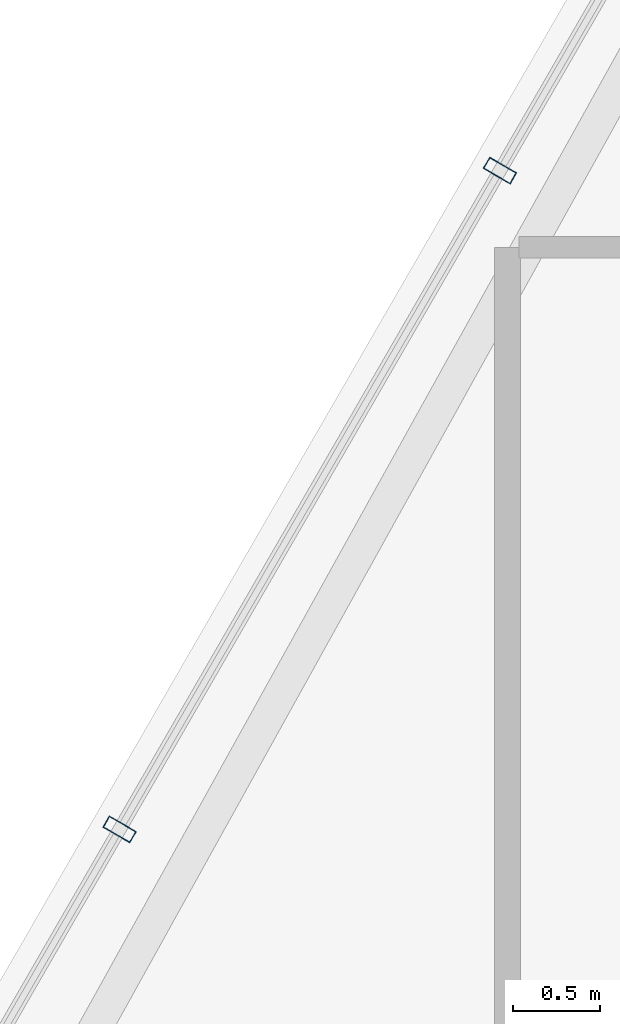
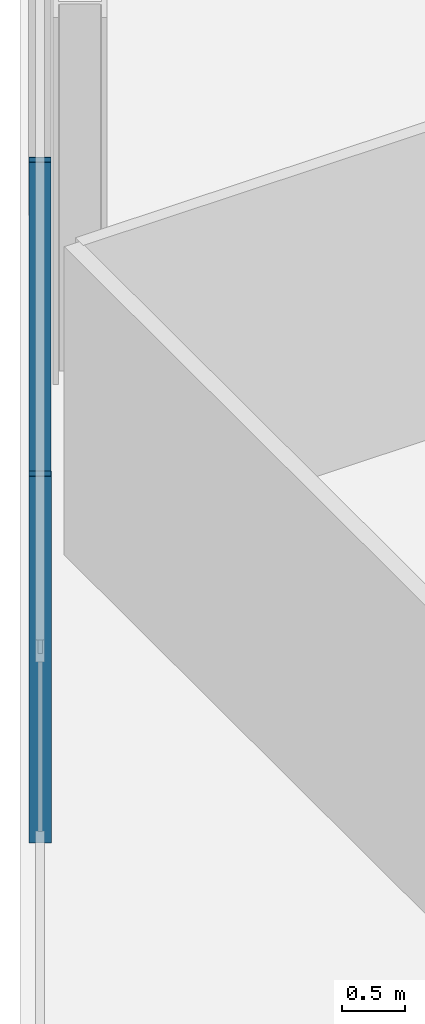
# One storey, part 10 of 29: 2 members, 1 element without a shape of its own.
"""IFC4 building model written with IfcOpenShell, lengths in metres."""

from ifc_helpers import new_model, si_unit, direction, frame, origin, origin_2d, place, context, subcontext, project, spatial, hollow_rectangle, extrude, material, layer, layer_set, material_profile, profile_set, type_object, element, aggregate, save


model = new_model("IFC4")

# Units and contexts
model_context = context("Model", 3, precision=1e-05, world=origin(), true_north=direction((0.0, 1.0)))
body_context = subcontext(model_context, "Body", "Model", "MODEL_VIEW")
ifc_project = project(units=[si_unit("LENGTHUNIT", "METRE"), si_unit("AREAUNIT", "SQUARE_METRE"), si_unit("VOLUMEUNIT", "CUBIC_METRE"), si_unit("PLANEANGLEUNIT", "RADIAN"), si_unit("MASSUNIT", "GRAM", prefix="KILO")], contexts=[model_context])

# Site, building, storey
site_placement = place(None, origin())
site = spatial("IfcSite", under=ifc_project, at=site_placement, CompositionType="ELEMENT")
building_placement = place(site_placement, origin())
building = spatial("IfcBuilding", under=site, at=building_placement, Name="Ndaravel Arena Tower", CompositionType="ELEMENT")
storey_placement = place(building_placement, frame((0.0, 0.0, 244.60009765625)))
storey = spatial("IfcBuildingStorey", under=building, at=storey_placement, Name="L59", CompositionType="ELEMENT", Elevation=244.60009765625)

# Curtain wall, members
ifc_material_1 = material(Name="Aluminium", Category="aluminium")
ifc_layer = layer(ifc_material_1, 0.179931640625)
ifc_layer_set = layer_set([ifc_layer], Name="Aluminium")
curtain_wall_type = type_object("IfcCurtainWallType", Name="CW-SYS-03", PredefinedType="NOTDEFINED", material=ifc_layer_set)
curtain_wall_placement = place(storey_placement, origin())
curtain_wall = element("IfcCurtainWall", 1, at=curtain_wall_placement, inside=storey, type_object=curtain_wall_type, Name="L59 Faceted Crystal Curtain Wall CW-L59-E05", PredefinedType="NOTDEFINED")
ifc_material_2 = material(Name="Aluminium", Category="aluminium")
ifc_material_profile = material_profile(ifc_material_2, hollow_rectangle(XDim=0.074951171875, YDim=0.179931640625, WallThickness=0.00390625, at=origin_2d()), Name="CW MULLION 75x180x4")
ifc_profile_set = profile_set([ifc_material_profile], Name="Aluminium")
member_type = type_object("IfcMemberType", Name="MEM-CW-MUL180", PredefinedType="MULLION", material=ifc_profile_set)
member_1_placement = place(storey_placement, frame((27.75634765625, 26.041015625, 0.0), z_axis=(0.0, 0.0, 1.0), x_axis=(-0.5, -0.866025403784, 0.0)))
member_1 = element("IfcMember", 2, at=member_1_placement, type_object=member_type, Name="CW-L59-E05 Mullion 05", PredefinedType="MULLION", context=body_context, shape_type="SweptSolid", body=[
    extrude(hollow_rectangle(XDim=0.074951171875, YDim=0.179931640625, WallThickness=0.00390625, at=origin_2d()), origin(), (0.0, 0.0, 1.0), 3.579833984375),
])
member_2_placement = place(storey_placement, frame((25.568359375, 22.251220703125, 0.0), z_axis=(0.0, 0.0, 1.0), x_axis=(-0.5, -0.866025403784, 0.0)))
member_2 = element("IfcMember", 3, at=member_2_placement, type_object=member_type, Name="CW-L59-E05 Mullion 06", PredefinedType="MULLION", context=body_context, shape_type="SweptSolid", body=[
    extrude(hollow_rectangle(XDim=0.074951171875, YDim=0.179931640625, WallThickness=0.00390625, at=origin_2d()), origin(), (0.0, 0.0, 1.0), 3.579833984375),
])
aggregate(curtain_wall, [member_1, member_2])

save(model, "model.ifc")
